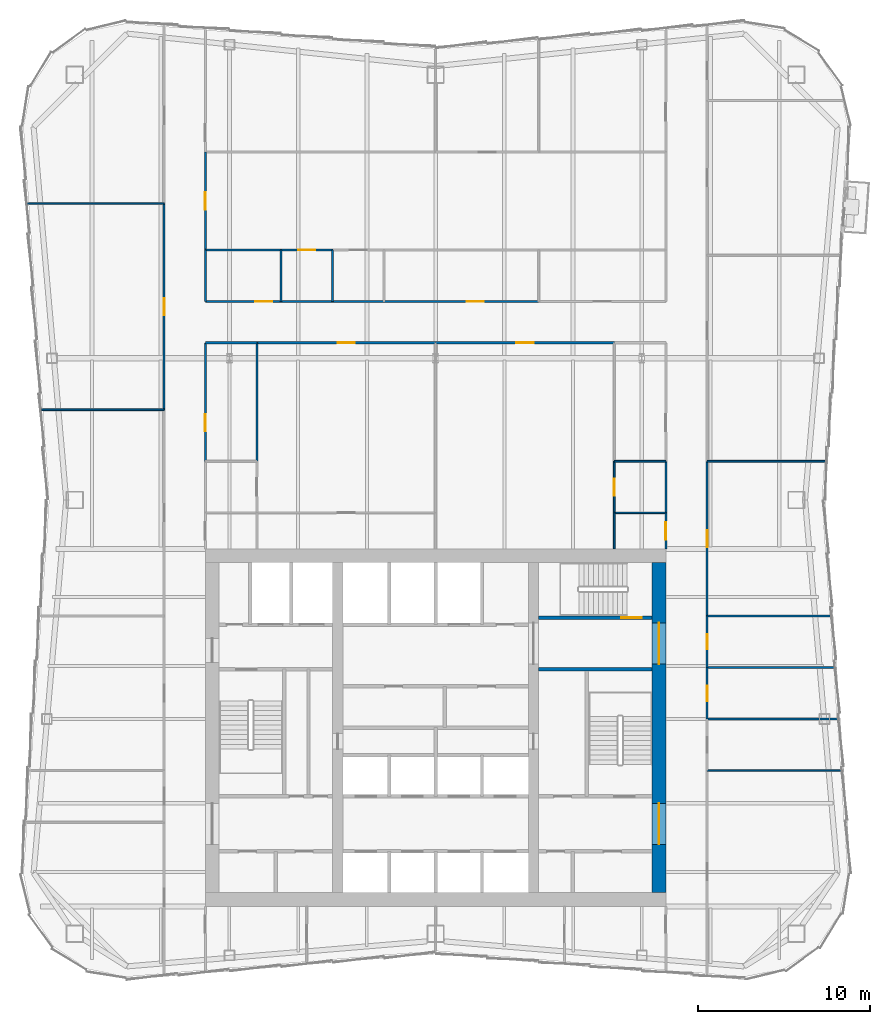
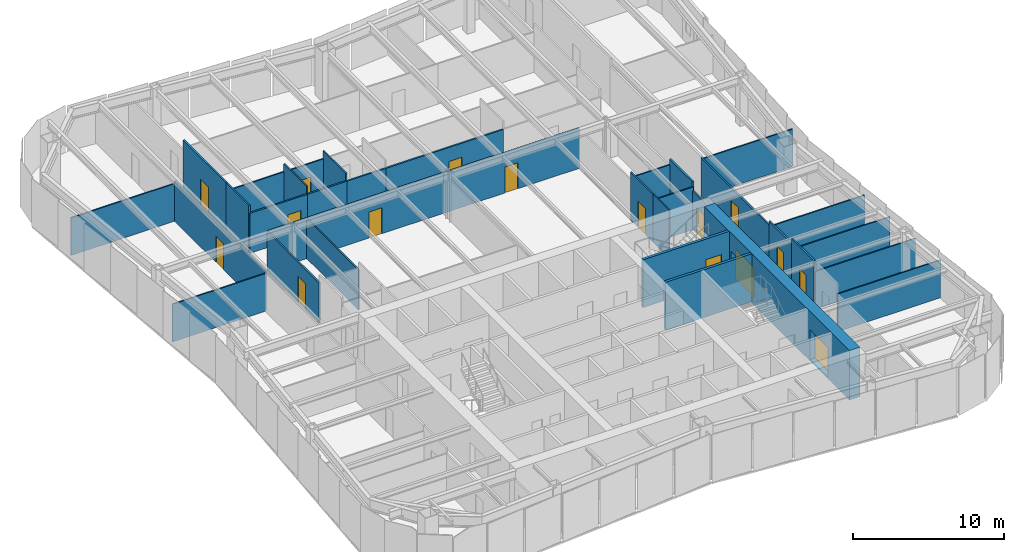
# One storey, part 8 of 12: 35 walls, 16 doors, 16 openings.
"""IFC4 building model written with IfcOpenShell, lengths in metres."""

from ifc_helpers import new_model, si_unit, direction, frame, frame_2d, origin, place, context, subcontext, project, spatial, rectangle, extrude, material, layer, layer_set, type_object, element, fill, save


model = new_model("IFC4")

# Units and contexts
model_context = context("Model", 3, precision=1e-05, world=origin(), true_north=direction((0.0, 1.0)))
body_context = subcontext(model_context, "Body", "Model", "MODEL_VIEW")
ifc_project = project(units=[si_unit("LENGTHUNIT", "METRE"), si_unit("AREAUNIT", "SQUARE_METRE"), si_unit("VOLUMEUNIT", "CUBIC_METRE"), si_unit("PLANEANGLEUNIT", "RADIAN"), si_unit("MASSUNIT", "GRAM", prefix="KILO")], contexts=[model_context])

# Site, building, storey
site_placement = place(None, origin())
site = spatial("IfcSite", under=ifc_project, at=site_placement, CompositionType="ELEMENT")
building_placement = place(site_placement, origin())
building = spatial("IfcBuilding", under=site, at=building_placement, Name="Verdant Reach Tower", CompositionType="ELEMENT")
storey_placement = place(building_placement, frame((0.0, 0.0, 242.0)))
storey = spatial("IfcBuildingStorey", under=building, at=storey_placement, Name="L55", CompositionType="ELEMENT", Elevation=242.0)

# Wall
ifc_material_1 = material(Name="Concrete C40/50", Category="concrete")
ifc_layer_1 = layer(ifc_material_1, 0.199951171875)
ifc_layer_set_1 = layer_set([ifc_layer_1], Name="CO-WALL-STAIR")
wall_type_1 = type_object("IfcWallType", Name="CO-WALL-STAIR", PredefinedType="PARTITIONING", material=ifc_layer_set_1)
wall_1_placement = place(storey_placement, frame((6.0, 31.39990234375, 0.0), z_axis=(0.0, 0.0, 1.0), x_axis=(1.0, 0.0, 0.0)))
element("IfcWall", 1, at=wall_1_placement, inside=storey, type_object=wall_type_1, Name="Stair enclosure wall, L55", PredefinedType="PARTITIONING", context=body_context, shape_type="SweptSolid", body=[
    extrude(rectangle(XDim=6.60009765625, YDim=0.199951171875, at=frame_2d((3.300048828125, 0.0))), origin(), (0.0, 0.0, 1.0), 3.8701171875),
])

# Wall, opening, door
wall_2_placement = place(storey_placement, frame((6.0, 34.39990234375, 0.0), z_axis=(0.0, 0.0, 1.0), x_axis=(1.0, 0.0, 0.0)))
wall_2 = element("IfcWall", 2, at=wall_2_placement, inside=storey, type_object=wall_type_1, Name="Stair enclosure wall, L55", PredefinedType="PARTITIONING", context=body_context, shape_type="SweptSolid", body=[
    extrude(rectangle(XDim=6.60009765625, YDim=0.199951171875, at=frame_2d((3.300048828125, 0.0))), origin(), (0.0, 0.0, 1.0), 3.8701171875),
])
opening_1_placement = place(wall_2_placement, frame((4.800048828125, 0.0, 0.0)))
opening_1 = element("IfcOpeningElement", 3, at=opening_1_placement, cuts=wall_2, Name="Opening SD", PredefinedType="OPENING", context=body_context, shape_type="SweptSolid", body=[
    extrude(rectangle(XDim=1.199951171875, YDim=2.199951171875, at=frame_2d((0.60009765625, 1.10009765625))), frame((0.0, 0.10986328125, 0.0), z_axis=(0.0, -1.0, 0.0), x_axis=(1.0, 0.0, 0.0)), (0.0, 0.0, 1.0), 0.219970703125),
])
ifc_material_2 = material(Name="Steel", Category="steel")
door_type_1 = type_object("IfcDoorType", Name="CO-DOOR-STAIR", OperationType="NOTDEFINED", PredefinedType="DOOR", material=ifc_material_2)
door_1_placement = place(opening_1_placement, origin())
door_1 = element("IfcDoor", 4, at=door_1_placement, inside=storey, type_object=door_type_1, Name="Stair door, L55", OperationType="SINGLE_SWING_RIGHT", OverallHeight=2.199951171875, OverallWidth=1.199951171875, PredefinedType="DOOR", context=body_context, shape_type="SweptSolid", body=[
    extrude(rectangle(XDim=1.199951171875, YDim=2.199951171875, at=frame_2d((0.60009765625, 1.10009765625))), frame((0.0, 0.02490234375, 0.0), z_axis=(0.0, -1.0, 0.0), x_axis=(1.0, 0.0, 0.0)), (0.0, 0.0, 1.0), 0.050048828125),
])
fill(opening_1, door_1)

# Walls
ifc_material_3 = material(Name="Gypsum board on steel studs", Category="steel")
ifc_layer_2 = layer(ifc_material_3, 0.10009765625)
ifc_layer_set_2 = layer_set([ifc_layer_2], Name="FL-W1 Partition 100")
wall_type_2 = type_object("IfcWallType", Name="FL-W1 Partition 100", PredefinedType="PARTITIONING", material=ifc_layer_set_2)
wall_3_placement = place(storey_placement, frame((-15.800048828125, 46.5, 0.0), z_axis=(0.0, 0.0, 1.0), x_axis=(-1.0, 0.0, 0.0)))
element("IfcWall", 5, at=wall_3_placement, inside=storey, type_object=wall_type_2, Name="Partition 55.41", PredefinedType="PARTITIONING", context=body_context, shape_type="SweptSolid", body=[
    extrude(rectangle(XDim=7.14208984375, YDim=0.10009765625, at=frame_2d((3.571044921875, 0.0))), origin(), (0.0, 0.0, 1.0), 3.0400390625),
])
wall_4_placement = place(storey_placement, frame((-15.800048828125, 58.5, 0.0), z_axis=(0.0, 0.0, 1.0), x_axis=(-1.0, 0.0, 0.0)))
element("IfcWall", 6, at=wall_4_placement, inside=storey, type_object=wall_type_2, Name="Partition 55.42", PredefinedType="PARTITIONING", context=body_context, shape_type="SweptSolid", body=[
    extrude(rectangle(XDim=7.9697265625, YDim=0.10009765625, at=frame_2d((3.98486328125, 0.0))), origin(), (0.0, 0.0, 1.0), 3.0400390625),
])
wall_5_placement = place(storey_placement, frame((23.666259765625, 25.5, 0.0), z_axis=(0.0, 0.0, 1.0), x_axis=(-1.0, 0.0, 0.0)))
element("IfcWall", 7, at=wall_5_placement, inside=storey, type_object=wall_type_2, Name="Partition 55.43", PredefinedType="PARTITIONING", context=body_context, shape_type="SweptSolid", body=[
    extrude(rectangle(XDim=7.8662109375, YDim=0.10009765625, at=frame_2d((3.93310546875, 0.0))), origin(), (0.0, 0.0, 1.0), 3.0400390625),
])
wall_6_placement = place(storey_placement, frame((23.459228515625, 28.5, 0.0), z_axis=(0.0, 0.0, 1.0), x_axis=(-1.0, 0.0, 0.0)))
element("IfcWall", 8, at=wall_6_placement, inside=storey, type_object=wall_type_2, Name="Partition 55.44", PredefinedType="PARTITIONING", context=body_context, shape_type="SweptSolid", body=[
    extrude(rectangle(XDim=7.6591796875, YDim=0.10009765625, at=frame_2d((3.82958984375, 0.0))), origin(), (0.0, 0.0, 1.0), 3.0400390625),
])
wall_7_placement = place(storey_placement, frame((23.25244140625, 31.5, 0.0), z_axis=(0.0, 0.0, 1.0), x_axis=(-1.0, 0.0, 0.0)))
element("IfcWall", 9, at=wall_7_placement, inside=storey, type_object=wall_type_2, Name="Partition 55.45", PredefinedType="PARTITIONING", context=body_context, shape_type="SweptSolid", body=[
    extrude(rectangle(XDim=7.452392578125, YDim=0.10009765625, at=frame_2d((3.72607421875, 0.0))), origin(), (0.0, 0.0, 1.0), 3.0400390625),
])
wall_8_placement = place(storey_placement, frame((23.04541015625, 34.5, 0.0), z_axis=(0.0, 0.0, 1.0), x_axis=(-1.0, 0.0, 0.0)))
element("IfcWall", 10, at=wall_8_placement, inside=storey, type_object=wall_type_2, Name="Partition 55.46", PredefinedType="PARTITIONING", context=body_context, shape_type="SweptSolid", body=[
    extrude(rectangle(XDim=7.245361328125, YDim=0.10009765625, at=frame_2d((3.62255859375, 0.0))), origin(), (0.0, 0.0, 1.0), 3.0400390625),
])
wall_9_placement = place(storey_placement, frame((22.735107421875, 43.5, 0.0), z_axis=(0.0, 0.0, 1.0), x_axis=(-1.0, 0.0, 0.0)))
element("IfcWall", 11, at=wall_9_placement, inside=storey, type_object=wall_type_2, Name="Partition 55.47", PredefinedType="PARTITIONING", context=body_context, shape_type="SweptSolid", body=[
    extrude(rectangle(XDim=6.93505859375, YDim=0.10009765625, at=frame_2d((3.467529296875, 0.0))), origin(), (0.0, 0.0, 1.0), 3.0400390625),
])
wall_10_placement = place(storey_placement, frame((-10.39990234375, 43.49609375, 0.0), z_axis=(0.0, 0.0, 1.0), x_axis=(0.0, 1.0, 0.0)))
element("IfcWall", 12, at=wall_10_placement, inside=storey, type_object=wall_type_2, Name="Partition 55.57", PredefinedType="PARTITIONING", context=body_context, shape_type="SweptSolid", body=[
    extrude(rectangle(XDim=6.90380859375, YDim=0.10009765625, at=frame_2d((3.451904296875, 0.0))), origin(), (0.0, 0.0, 1.0), 3.239990234375),
])
wall_11_placement = place(storey_placement, frame((13.39990234375, 40.5, 0.0), z_axis=(0.0, 0.0, 1.0), x_axis=(-1.0, 0.0, 0.0)))
element("IfcWall", 13, at=wall_11_placement, inside=storey, type_object=wall_type_2, Name="Partition 55.61", PredefinedType="PARTITIONING", context=body_context, shape_type="SweptSolid", body=[
    extrude(rectangle(XDim=3.0, YDim=0.10009765625, at=frame_2d((1.5, 0.0))), origin(), (0.0, 0.0, 1.0), 3.43994140625),
])
wall_12_placement = place(storey_placement, frame((10.39990234375, 40.50390625, 0.0), z_axis=(0.0, 0.0, 1.0), x_axis=(0.0, -1.0, 0.0)))
element("IfcWall", 14, at=wall_12_placement, inside=storey, type_object=wall_type_2, Name="Partition 55.62", PredefinedType="PARTITIONING", context=body_context, shape_type="SweptSolid", body=[
    extrude(rectangle(XDim=2.10400390625, YDim=0.10009765625, at=frame_2d((1.052001953125, 0.0))), origin(), (0.0, 0.0, 1.0), 3.8701171875),
])
wall_13_placement = place(storey_placement, frame((13.39990234375, 43.5, 0.0), z_axis=(0.0, 0.0, 1.0), x_axis=(-1.0, 0.0, 0.0)))
element("IfcWall", 15, at=wall_13_placement, inside=storey, type_object=wall_type_2, Name="Partition 55.63", PredefinedType="PARTITIONING", context=body_context, shape_type="SweptSolid", body=[
    extrude(rectangle(XDim=3.0, YDim=0.10009765625, at=frame_2d((1.5, 0.0))), origin(), (0.0, 0.0, 1.0), 3.43994140625),
])

# Wall, opening, door
wall_14_placement = place(storey_placement, frame((10.39990234375, 43.50390625, 0.0), z_axis=(0.0, 0.0, 1.0), x_axis=(0.0, -1.0, 0.0)))
wall_14 = element("IfcWall", 16, at=wall_14_placement, inside=storey, type_object=wall_type_2, Name="Partition 55.64", PredefinedType="PARTITIONING", context=body_context, shape_type="SweptSolid", body=[
    extrude(rectangle(XDim=3.0078125, YDim=0.10009765625, at=frame_2d((1.50390625, 0.0))), origin(), (0.0, 0.0, 1.0), 3.8701171875),
])
opening_2_placement = place(wall_14_placement, frame((1.00390625, 0.0, 0.0)))
opening_2 = element("IfcOpeningElement", 17, at=opening_2_placement, cuts=wall_14, Name="Opening D3", PredefinedType="OPENING", context=body_context, shape_type="SweptSolid", body=[
    extrude(rectangle(XDim=1.0, YDim=2.10009765625, at=frame_2d((0.5, 1.050048828125))), frame((0.0, 0.06005859375, 0.0), z_axis=(0.0, -1.0, 0.0), x_axis=(1.0, 0.0, 0.0)), (0.0, 0.0, 1.0), 0.1201171875),
])
ifc_material_4 = material(Name="Painted timber door leaf", Category="wood")
door_type_2 = type_object("IfcDoorType", Name="FL-D3 Door 1000x2100", OperationType="NOTDEFINED", PredefinedType="DOOR", material=ifc_material_4)
door_2_placement = place(opening_2_placement, origin())
door_2 = element("IfcDoor", 18, at=door_2_placement, inside=storey, type_object=door_type_2, Name="Door 55-033", OperationType="SINGLE_SWING_LEFT", OverallHeight=2.10009765625, OverallWidth=1.0, PredefinedType="DOOR", context=body_context, shape_type="SweptSolid", body=[
    extrude(rectangle(XDim=1.0, YDim=2.10009765625, at=frame_2d((0.5, 1.050048828125))), frame((0.0, 0.02490234375, 0.0), z_axis=(0.0, -1.0, 0.0), x_axis=(1.0, 0.0, 0.0)), (0.0, 0.0, 1.0), 0.050048828125),
])
fill(opening_2, door_2)

# Walls
wall_15_placement = place(storey_placement, frame((-9.0, 52.800048828125, 0.0), z_axis=(0.0, 0.0, 1.0), x_axis=(0.0, 1.0, 0.0)))
element("IfcWall", 19, at=wall_15_placement, inside=storey, type_object=wall_type_2, Name="Partition 55.66", PredefinedType="PARTITIONING", context=body_context, shape_type="SweptSolid", body=[
    extrude(rectangle(XDim=3.0, YDim=0.10009765625, at=frame_2d((1.5, 0.0))), origin(), (0.0, 0.0, 1.0), 3.8701171875),
])
wall_16_placement = place(storey_placement, frame((-8.99609375, 55.800048828125, 0.0), z_axis=(0.0, 0.0, 1.0), x_axis=(-1.0, 0.0, 0.0)))
element("IfcWall", 20, at=wall_16_placement, inside=storey, type_object=wall_type_2, Name="Partition 55.67", PredefinedType="PARTITIONING", context=body_context, shape_type="SweptSolid", body=[
    extrude(rectangle(XDim=4.40380859375, YDim=0.10009765625, at=frame_2d((2.201904296875, 0.0))), origin(), (0.0, 0.0, 1.0), 3.239990234375),
])
wall_17_placement = place(storey_placement, frame((-6.0, 52.800048828125, 0.0), z_axis=(0.0, 0.0, 1.0), x_axis=(0.0, 1.0, 0.0)))
element("IfcWall", 21, at=wall_17_placement, inside=storey, type_object=wall_type_2, Name="Partition 55.68", PredefinedType="PARTITIONING", context=body_context, shape_type="SweptSolid", body=[
    extrude(rectangle(XDim=3.0, YDim=0.10009765625, at=frame_2d((1.5, 0.0))), origin(), (0.0, 0.0, 1.0), 3.8701171875),
])

# Wall, opening, door
wall_18_placement = place(storey_placement, frame((-5.99609375, 55.800048828125, 0.0), z_axis=(0.0, 0.0, 1.0), x_axis=(-1.0, 0.0, 0.0)))
wall_18 = element("IfcWall", 22, at=wall_18_placement, inside=storey, type_object=wall_type_2, Name="Partition 55.69", PredefinedType="PARTITIONING", context=body_context, shape_type="SweptSolid", body=[
    extrude(rectangle(XDim=3.0078125, YDim=0.10009765625, at=frame_2d((1.50390625, 0.0))), origin(), (0.0, 0.0, 1.0), 3.239990234375),
])
opening_3_placement = place(wall_18_placement, frame((1.00390625, 0.0, 0.0)))
opening_3 = element("IfcOpeningElement", 23, at=opening_3_placement, cuts=wall_18, Name="Opening D3", PredefinedType="OPENING", context=body_context, shape_type="SweptSolid", body=[
    extrude(rectangle(XDim=1.0, YDim=2.10009765625, at=frame_2d((0.5, 1.050048828125))), frame((0.0, 0.06005859375, 0.0), z_axis=(0.0, -1.0, 0.0), x_axis=(1.0, 0.0, 0.0)), (0.0, 0.0, 1.0), 0.1201171875),
])
door_3_placement = place(opening_3_placement, origin())
door_3 = element("IfcDoor", 24, at=door_3_placement, inside=storey, type_object=door_type_2, Name="Door 55-034", OperationType="SINGLE_SWING_RIGHT", OverallHeight=2.10009765625, OverallWidth=1.0, PredefinedType="DOOR", context=body_context, shape_type="SweptSolid", body=[
    extrude(rectangle(XDim=1.0, YDim=2.10009765625, at=frame_2d((0.5, 1.050048828125))), frame((0.0, 0.02490234375, 0.0), z_axis=(0.0, -1.0, 0.0), x_axis=(1.0, 0.0, 0.0)), (0.0, 0.0, 1.0), 0.050048828125),
])
fill(opening_3, door_3)

ifc_material_5 = material(Name="Gypsum board on steel studs, fire rated", Category="steel")
ifc_layer_3 = layer(ifc_material_5, 0.125)
ifc_layer_set_3 = layer_set([ifc_layer_3], Name="FL-W2 Corridor wall 125")
wall_type_3 = type_object("IfcWallType", Name="FL-W2 Corridor wall 125", PredefinedType="PARTITIONING", material=ifc_layer_set_3)
wall_19_placement = place(storey_placement, frame((-15.800048828125, 46.5, 0.0), z_axis=(0.0, 0.0, 1.0), x_axis=(0.0, 1.0, 0.0)))
wall_19 = element("IfcWall", 25, at=wall_19_placement, inside=storey, type_object=wall_type_3, Name="Partition 55.05", PredefinedType="PARTITIONING", context=body_context, shape_type="SweptSolid", body=[
    extrude(rectangle(XDim=12.0, YDim=0.125, at=frame_2d((6.0, 0.0))), origin(), (0.0, 0.0, 1.0), 3.239990234375),
])
opening_4_placement = place(wall_19_placement, frame((5.5, 0.0, 0.0)))
opening_4 = element("IfcOpeningElement", 26, at=opening_4_placement, cuts=wall_19, Name="Opening D2", PredefinedType="OPENING", context=body_context, shape_type="SweptSolid", body=[
    extrude(rectangle(XDim=1.0, YDim=2.10009765625, at=frame_2d((0.5, 1.050048828125))), frame((0.0, 0.072509765625, 0.0), z_axis=(0.0, -1.0, 0.0), x_axis=(1.0, 0.0, 0.0)), (0.0, 0.0, 1.0), 0.14501953125),
])
ifc_material_6 = material(Name="Timber door leaf, fire rated", Category="wood")
door_type_3 = type_object("IfcDoorType", Name="FL-D2 Entrance door 1000x2100 FD30", OperationType="NOTDEFINED", PredefinedType="DOOR", material=ifc_material_6)
door_4_placement = place(opening_4_placement, origin())
door_4 = element("IfcDoor", 27, at=door_4_placement, inside=storey, type_object=door_type_3, Name="Door 55-005", OperationType="SINGLE_SWING_LEFT", OverallHeight=2.10009765625, OverallWidth=1.0, PredefinedType="DOOR", context=body_context, shape_type="SweptSolid", body=[
    extrude(rectangle(XDim=1.0, YDim=2.10009765625, at=frame_2d((0.5, 1.050048828125))), frame((0.0, 0.02490234375, 0.0), z_axis=(0.0, -1.0, 0.0), x_axis=(1.0, 0.0, 0.0)), (0.0, 0.0, 1.0), 0.050048828125),
])
fill(opening_4, door_4)

wall_20_placement = place(storey_placement, frame((15.800048828125, 31.5, 0.0), z_axis=(0.0, 0.0, 1.0), x_axis=(0.0, -1.0, 0.0)))
wall_20 = element("IfcWall", 28, at=wall_20_placement, inside=storey, type_object=wall_type_3, Name="Partition 55.09", PredefinedType="PARTITIONING", context=body_context, shape_type="SweptSolid", body=[
    extrude(rectangle(XDim=3.0, YDim=0.125, at=frame_2d((1.5, 0.0))), origin(), (0.0, 0.0, 1.0), 3.8701171875),
])
opening_5_placement = place(wall_20_placement, frame((1.050048828125, 0.0, 0.0)))
opening_5 = element("IfcOpeningElement", 29, at=opening_5_placement, cuts=wall_20, Name="Opening D1", PredefinedType="OPENING", context=body_context, shape_type="SweptSolid", body=[
    extrude(rectangle(XDim=0.89990234375, YDim=2.10009765625, at=frame_2d((0.449951171875, 1.050048828125))), frame((0.0, 0.072509765625, 0.0), z_axis=(0.0, -1.0, 0.0), x_axis=(1.0, 0.0, 0.0)), (0.0, 0.0, 1.0), 0.14501953125),
])
door_type_4 = type_object("IfcDoorType", Name="FL-D1 Door 900x2100", OperationType="NOTDEFINED", PredefinedType="DOOR", material=ifc_material_4)
door_5_placement = place(opening_5_placement, origin())
door_5 = element("IfcDoor", 30, at=door_5_placement, inside=storey, type_object=door_type_4, Name="Door 55-009", OperationType="SINGLE_SWING_LEFT", OverallHeight=2.10009765625, OverallWidth=0.89990234375, PredefinedType="DOOR", context=body_context, shape_type="SweptSolid", body=[
    extrude(rectangle(XDim=0.89990234375, YDim=2.10009765625, at=frame_2d((0.449951171875, 1.050048828125))), frame((0.0, 0.02490234375, 0.0), z_axis=(0.0, -1.0, 0.0), x_axis=(1.0, 0.0, 0.0)), (0.0, 0.0, 1.0), 0.050048828125),
])
fill(opening_5, door_5)

wall_21_placement = place(storey_placement, frame((15.800048828125, 34.5, 0.0), z_axis=(0.0, 0.0, 1.0), x_axis=(0.0, -1.0, 0.0)))
wall_21 = element("IfcWall", 31, at=wall_21_placement, inside=storey, type_object=wall_type_3, Name="Partition 55.10", PredefinedType="PARTITIONING", context=body_context, shape_type="SweptSolid", body=[
    extrude(rectangle(XDim=3.0, YDim=0.125, at=frame_2d((1.5, 0.0))), origin(), (0.0, 0.0, 1.0), 3.47998046875),
])
opening_6_placement = place(wall_21_placement, frame((1.050048828125, 0.0, 0.0)))
opening_6 = element("IfcOpeningElement", 32, at=opening_6_placement, cuts=wall_21, Name="Opening D1", PredefinedType="OPENING", context=body_context, shape_type="SweptSolid", body=[
    extrude(rectangle(XDim=0.89990234375, YDim=2.10009765625, at=frame_2d((0.449951171875, 1.050048828125))), frame((0.0, 0.072509765625, 0.0), z_axis=(0.0, -1.0, 0.0), x_axis=(1.0, 0.0, 0.0)), (0.0, 0.0, 1.0), 0.14501953125),
])
door_6_placement = place(opening_6_placement, origin())
door_6 = element("IfcDoor", 33, at=door_6_placement, inside=storey, type_object=door_type_4, Name="Door 55-010", OperationType="SINGLE_SWING_RIGHT", OverallHeight=2.10009765625, OverallWidth=0.89990234375, PredefinedType="DOOR", context=body_context, shape_type="SweptSolid", body=[
    extrude(rectangle(XDim=0.89990234375, YDim=2.10009765625, at=frame_2d((0.449951171875, 1.050048828125))), frame((0.0, 0.02490234375, 0.0), z_axis=(0.0, -1.0, 0.0), x_axis=(1.0, 0.0, 0.0)), (0.0, 0.0, 1.0), 0.050048828125),
])
fill(opening_6, door_6)

wall_22_placement = place(storey_placement, frame((15.800048828125, 43.5, 0.0), z_axis=(0.0, 0.0, 1.0), x_axis=(0.0, -1.0, 0.0)))
wall_22 = element("IfcWall", 34, at=wall_22_placement, inside=storey, type_object=wall_type_3, Name="Partition 55.11", PredefinedType="PARTITIONING", context=body_context, shape_type="SweptSolid", body=[
    extrude(rectangle(XDim=9.0, YDim=0.125, at=frame_2d((4.5, 0.0))), origin(), (0.0, 0.0, 1.0), 3.139892578125),
])
opening_7_placement = place(wall_22_placement, frame((4.0, 0.0, 0.0)))
opening_7 = element("IfcOpeningElement", 35, at=opening_7_placement, cuts=wall_22, Name="Opening D2", PredefinedType="OPENING", context=body_context, shape_type="SweptSolid", body=[
    extrude(rectangle(XDim=1.0, YDim=2.10009765625, at=frame_2d((0.5, 1.050048828125))), frame((0.0, 0.072509765625, 0.0), z_axis=(0.0, -1.0, 0.0), x_axis=(1.0, 0.0, 0.0)), (0.0, 0.0, 1.0), 0.14501953125),
])
door_7_placement = place(opening_7_placement, origin())
door_7 = element("IfcDoor", 36, at=door_7_placement, inside=storey, type_object=door_type_3, Name="Door 55-011", OperationType="SINGLE_SWING_LEFT", OverallHeight=2.10009765625, OverallWidth=1.0, PredefinedType="DOOR", context=body_context, shape_type="SweptSolid", body=[
    extrude(rectangle(XDim=1.0, YDim=2.10009765625, at=frame_2d((0.5, 1.050048828125))), frame((0.0, 0.02490234375, 0.0), z_axis=(0.0, -1.0, 0.0), x_axis=(1.0, 0.0, 0.0)), (0.0, 0.0, 1.0), 0.050048828125),
])
fill(opening_7, door_7)

wall_23_placement = place(storey_placement, frame((-13.39990234375, 50.39990234375, 0.0), z_axis=(0.0, 0.0, 1.0), x_axis=(0.0, -1.0, 0.0)))
wall_23 = element("IfcWall", 37, at=wall_23_placement, inside=storey, type_object=wall_type_3, Name="Partition 55.19", PredefinedType="PARTITIONING", context=body_context, shape_type="SweptSolid", body=[
    extrude(rectangle(XDim=6.89990234375, YDim=0.125, at=frame_2d((3.449951171875, 0.0))), origin(), (0.0, 0.0, 1.0), 3.239990234375),
])
opening_8_placement = place(wall_23_placement, frame((4.14990234375, 0.0, 0.0)))
opening_8 = element("IfcOpeningElement", 38, at=opening_8_placement, cuts=wall_23, Name="Opening D2", PredefinedType="OPENING", context=body_context, shape_type="SweptSolid", body=[
    extrude(rectangle(XDim=1.0, YDim=2.10009765625, at=frame_2d((0.5, 1.050048828125))), frame((0.0, 0.072509765625, 0.0), z_axis=(0.0, -1.0, 0.0), x_axis=(1.0, 0.0, 0.0)), (0.0, 0.0, 1.0), 0.14501953125),
])
door_8_placement = place(opening_8_placement, origin())
door_8 = element("IfcDoor", 39, at=door_8_placement, inside=storey, type_object=door_type_3, Name="Door 55-018", OperationType="SINGLE_SWING_RIGHT", OverallHeight=2.10009765625, OverallWidth=1.0, PredefinedType="DOOR", context=body_context, shape_type="SweptSolid", body=[
    extrude(rectangle(XDim=1.0, YDim=2.10009765625, at=frame_2d((0.5, 1.050048828125))), frame((0.0, 0.02490234375, 0.0), z_axis=(0.0, -1.0, 0.0), x_axis=(1.0, 0.0, 0.0)), (0.0, 0.0, 1.0), 0.050048828125),
])
fill(opening_8, door_8)

# Wall
wall_24_placement = place(storey_placement, frame((-10.39990234375, 50.39990234375, 0.0), z_axis=(0.0, 0.0, 1.0), x_axis=(-1.0, 0.0, 0.0)))
element("IfcWall", 40, at=wall_24_placement, inside=storey, type_object=wall_type_3, Name="Partition 55.20", PredefinedType="PARTITIONING", context=body_context, shape_type="SweptSolid", body=[
    extrude(rectangle(XDim=3.0, YDim=0.125, at=frame_2d((1.5, 0.0))), origin(), (0.0, 0.0, 1.0), 3.239990234375),
])

# Wall, opening, door
wall_25_placement = place(storey_placement, frame((0.0, 50.39990234375, 0.0), z_axis=(0.0, 0.0, 1.0), x_axis=(-1.0, 0.0, 0.0)))
wall_25 = element("IfcWall", 41, at=wall_25_placement, inside=storey, type_object=wall_type_3, Name="Partition 55.21", PredefinedType="PARTITIONING", context=body_context, shape_type="SweptSolid", body=[
    extrude(rectangle(XDim=10.39990234375, YDim=0.125, at=frame_2d((5.199951171875, 0.0))), origin(), (0.0, 0.0, 1.0), 3.239990234375),
])
opening_9_placement = place(wall_25_placement, frame((4.699951171875, 0.0, 0.0)))
opening_9 = element("IfcOpeningElement", 42, at=opening_9_placement, cuts=wall_25, Name="Opening D2", PredefinedType="OPENING", context=body_context, shape_type="SweptSolid", body=[
    extrude(rectangle(XDim=1.0, YDim=2.10009765625, at=frame_2d((0.5, 1.050048828125))), frame((0.0, 0.072509765625, 0.0), z_axis=(0.0, -1.0, 0.0), x_axis=(1.0, 0.0, 0.0)), (0.0, 0.0, 1.0), 0.14501953125),
])
door_9_placement = place(opening_9_placement, origin())
door_9 = element("IfcDoor", 43, at=door_9_placement, inside=storey, type_object=door_type_3, Name="Door 55-019", OperationType="SINGLE_SWING_LEFT", OverallHeight=2.10009765625, OverallWidth=1.0, PredefinedType="DOOR", context=body_context, shape_type="SweptSolid", body=[
    extrude(rectangle(XDim=1.0, YDim=2.10009765625, at=frame_2d((0.5, 1.050048828125))), frame((0.0, 0.02490234375, 0.0), z_axis=(0.0, -1.0, 0.0), x_axis=(1.0, 0.0, 0.0)), (0.0, 0.0, 1.0), 0.050048828125),
])
fill(opening_9, door_9)

wall_26_placement = place(storey_placement, frame((13.39990234375, 38.39990234375, 0.0), z_axis=(0.0, 0.0, 1.0), x_axis=(0.0, 1.0, 0.0)))
wall_26 = element("IfcWall", 44, at=wall_26_placement, inside=storey, type_object=wall_type_3, Name="Partition 55.22", PredefinedType="PARTITIONING", context=body_context, shape_type="SweptSolid", body=[
    extrude(rectangle(XDim=2.10009765625, YDim=0.125, at=frame_2d((1.050048828125, 0.0))), origin(), (0.0, 0.0, 1.0), 3.139892578125),
])
opening_10_placement = place(wall_26_placement, frame((0.550048828125, 0.0, 0.0)))
opening_10 = element("IfcOpeningElement", 45, at=opening_10_placement, cuts=wall_26, Name="Opening D2", PredefinedType="OPENING", context=body_context, shape_type="SweptSolid", body=[
    extrude(rectangle(XDim=1.0, YDim=2.10009765625, at=frame_2d((0.5, 1.050048828125))), frame((0.0, 0.072509765625, 0.0), z_axis=(0.0, -1.0, 0.0), x_axis=(1.0, 0.0, 0.0)), (0.0, 0.0, 1.0), 0.14501953125),
])
door_10_placement = place(opening_10_placement, origin())
door_10 = element("IfcDoor", 46, at=door_10_placement, inside=storey, type_object=door_type_3, Name="Door 55-020", OperationType="SINGLE_SWING_RIGHT", OverallHeight=2.10009765625, OverallWidth=1.0, PredefinedType="DOOR", context=body_context, shape_type="SweptSolid", body=[
    extrude(rectangle(XDim=1.0, YDim=2.10009765625, at=frame_2d((0.5, 1.050048828125))), frame((0.0, 0.02490234375, 0.0), z_axis=(0.0, -1.0, 0.0), x_axis=(1.0, 0.0, 0.0)), (0.0, 0.0, 1.0), 0.050048828125),
])
fill(opening_10, door_10)

# Wall
wall_27_placement = place(storey_placement, frame((13.39990234375, 40.5, 0.0), z_axis=(0.0, 0.0, 1.0), x_axis=(0.0, 1.0, 0.0)))
element("IfcWall", 47, at=wall_27_placement, inside=storey, type_object=wall_type_3, Name="Partition 55.23", PredefinedType="PARTITIONING", context=body_context, shape_type="SweptSolid", body=[
    extrude(rectangle(XDim=3.0, YDim=0.125, at=frame_2d((1.5, 0.0))), origin(), (0.0, 0.0, 1.0), 3.8701171875),
])

# Wall, opening, door
wall_28_placement = place(storey_placement, frame((10.39990234375, 50.39990234375, 0.0), z_axis=(0.0, 0.0, 1.0), x_axis=(-1.0, 0.0, 0.0)))
wall_28 = element("IfcWall", 48, at=wall_28_placement, inside=storey, type_object=wall_type_3, Name="Partition 55.26", PredefinedType="PARTITIONING", context=body_context, shape_type="SweptSolid", body=[
    extrude(rectangle(XDim=10.39990234375, YDim=0.125, at=frame_2d((5.199951171875, 0.0))), origin(), (0.0, 0.0, 1.0), 3.239990234375),
])
opening_11_placement = place(wall_28_placement, frame((4.699951171875, 0.0, 0.0)))
opening_11 = element("IfcOpeningElement", 49, at=opening_11_placement, cuts=wall_28, Name="Opening D2", PredefinedType="OPENING", context=body_context, shape_type="SweptSolid", body=[
    extrude(rectangle(XDim=1.0, YDim=2.10009765625, at=frame_2d((0.5, 1.050048828125))), frame((0.0, 0.072509765625, 0.0), z_axis=(0.0, -1.0, 0.0), x_axis=(1.0, 0.0, 0.0)), (0.0, 0.0, 1.0), 0.14501953125),
])
door_11_placement = place(opening_11_placement, origin())
door_11 = element("IfcDoor", 50, at=door_11_placement, inside=storey, type_object=door_type_3, Name="Door 55-022", OperationType="SINGLE_SWING_RIGHT", OverallHeight=2.10009765625, OverallWidth=1.0, PredefinedType="DOOR", context=body_context, shape_type="SweptSolid", body=[
    extrude(rectangle(XDim=1.0, YDim=2.10009765625, at=frame_2d((0.5, 1.050048828125))), frame((0.0, 0.02490234375, 0.0), z_axis=(0.0, -1.0, 0.0), x_axis=(1.0, 0.0, 0.0)), (0.0, 0.0, 1.0), 0.050048828125),
])
fill(opening_11, door_11)

wall_29_placement = place(storey_placement, frame((-13.39990234375, 52.800048828125, 0.0), z_axis=(0.0, 0.0, 1.0), x_axis=(1.0, 0.0, 0.0)))
wall_29 = element("IfcWall", 51, at=wall_29_placement, inside=storey, type_object=wall_type_3, Name="Partition 55.27", PredefinedType="PARTITIONING", context=body_context, shape_type="SweptSolid", body=[
    extrude(rectangle(XDim=4.39990234375, YDim=0.125, at=frame_2d((2.199951171875, 0.0))), origin(), (0.0, 0.0, 1.0), 3.239990234375),
])
opening_12_placement = place(wall_29_placement, frame((2.89990234375, 0.0, 0.0)))
opening_12 = element("IfcOpeningElement", 52, at=opening_12_placement, cuts=wall_29, Name="Opening D2", PredefinedType="OPENING", context=body_context, shape_type="SweptSolid", body=[
    extrude(rectangle(XDim=1.0, YDim=2.10009765625, at=frame_2d((0.5, 1.050048828125))), frame((0.0, 0.072509765625, 0.0), z_axis=(0.0, -1.0, 0.0), x_axis=(1.0, 0.0, 0.0)), (0.0, 0.0, 1.0), 0.14501953125),
])
door_12_placement = place(opening_12_placement, origin())
door_12 = element("IfcDoor", 53, at=door_12_placement, inside=storey, type_object=door_type_3, Name="Door 55-023", OperationType="SINGLE_SWING_RIGHT", OverallHeight=2.10009765625, OverallWidth=1.0, PredefinedType="DOOR", context=body_context, shape_type="SweptSolid", body=[
    extrude(rectangle(XDim=1.0, YDim=2.10009765625, at=frame_2d((0.5, 1.050048828125))), frame((0.0, 0.02490234375, 0.0), z_axis=(0.0, -1.0, 0.0), x_axis=(1.0, 0.0, 0.0)), (0.0, 0.0, 1.0), 0.050048828125),
])
fill(opening_12, door_12)

# Walls
wall_30_placement = place(storey_placement, frame((-13.39990234375, 52.800048828125, 0.0), z_axis=(0.0, 0.0, 1.0), x_axis=(0.0, 1.0, 0.0)))
element("IfcWall", 54, at=wall_30_placement, inside=storey, type_object=wall_type_3, Name="Partition 55.28", PredefinedType="PARTITIONING", context=body_context, shape_type="SweptSolid", body=[
    extrude(rectangle(XDim=3.0, YDim=0.125, at=frame_2d((1.5, 0.0))), origin(), (0.0, 0.0, 1.0), 3.8701171875),
])
for number, where, z_axis, x_axis, name in (
    (55, (-6.0, 52.800048828125, 0.0), (0.0, 0.0, 1.0), (-1.0, 0.0, 0.0), "Partition 55.29"),
    (56, (-3.0, 52.800048828125, 0.0), (0.0, 0.0, 1.0), (-1.0, 0.0, 0.0), "Partition 55.30"),
):
    element("IfcWall", number, at=place(storey_placement, frame(where, z_axis=z_axis, x_axis=x_axis)), inside=storey, type_object=wall_type_3, Name=name, PredefinedType="PARTITIONING", context=body_context, shape_type="SweptSolid", body=[
        extrude(rectangle(XDim=3.0, YDim=0.125, at=frame_2d((1.5, 0.0))), origin(), (0.0, 0.0, 1.0), 3.239990234375),
    ])

# Wall, opening, door
wall_31_placement = place(storey_placement, frame((-3.0, 52.800048828125, 0.0), z_axis=(0.0, 0.0, 1.0), x_axis=(1.0, 0.0, 0.0)))
wall_31 = element("IfcWall", 57, at=wall_31_placement, inside=storey, type_object=wall_type_3, Name="Partition 55.31", PredefinedType="PARTITIONING", context=body_context, shape_type="SweptSolid", body=[
    extrude(rectangle(XDim=9.0, YDim=0.125, at=frame_2d((4.5, 0.0))), origin(), (0.0, 0.0, 1.0), 3.239990234375),
])
opening_13_placement = place(wall_31_placement, frame((4.800048828125, 0.0, 0.0)))
opening_13 = element("IfcOpeningElement", 58, at=opening_13_placement, cuts=wall_31, Name="Opening D2", PredefinedType="OPENING", context=body_context, shape_type="SweptSolid", body=[
    extrude(rectangle(XDim=1.0, YDim=2.10009765625, at=frame_2d((0.5, 1.050048828125))), frame((0.0, 0.072509765625, 0.0), z_axis=(0.0, -1.0, 0.0), x_axis=(1.0, 0.0, 0.0)), (0.0, 0.0, 1.0), 0.14501953125),
])
door_13_placement = place(opening_13_placement, origin())
door_13 = element("IfcDoor", 59, at=door_13_placement, inside=storey, type_object=door_type_3, Name="Door 55-024", OperationType="SINGLE_SWING_RIGHT", OverallHeight=2.10009765625, OverallWidth=1.0, PredefinedType="DOOR", context=body_context, shape_type="SweptSolid", body=[
    extrude(rectangle(XDim=1.0, YDim=2.10009765625, at=frame_2d((0.5, 1.050048828125))), frame((0.0, 0.02490234375, 0.0), z_axis=(0.0, -1.0, 0.0), x_axis=(1.0, 0.0, 0.0)), (0.0, 0.0, 1.0), 0.050048828125),
])
fill(opening_13, door_13)

wall_32_placement = place(storey_placement, frame((-13.39990234375, 61.5, 0.0), z_axis=(0.0, 0.0, 1.0), x_axis=(0.0, -1.0, 0.0)))
wall_32 = element("IfcWall", 60, at=wall_32_placement, inside=storey, type_object=wall_type_3, Name="Partition 55.34", PredefinedType="PARTITIONING", context=body_context, shape_type="SweptSolid", body=[
    extrude(rectangle(XDim=5.699951171875, YDim=0.125, at=frame_2d((2.85009765625, 0.0))), origin(), (0.0, 0.0, 1.0), 3.8701171875),
])
opening_14_placement = place(wall_32_placement, frame((2.35009765625, 0.0, 0.0)))
opening_14 = element("IfcOpeningElement", 61, at=opening_14_placement, cuts=wall_32, Name="Opening D2", PredefinedType="OPENING", context=body_context, shape_type="SweptSolid", body=[
    extrude(rectangle(XDim=1.0, YDim=2.10009765625, at=frame_2d((0.5, 1.050048828125))), frame((0.0, 0.072509765625, 0.0), z_axis=(0.0, -1.0, 0.0), x_axis=(1.0, 0.0, 0.0)), (0.0, 0.0, 1.0), 0.14501953125),
])
door_14_placement = place(opening_14_placement, origin())
door_14 = element("IfcDoor", 62, at=door_14_placement, inside=storey, type_object=door_type_3, Name="Door 55-026", OperationType="SINGLE_SWING_RIGHT", OverallHeight=2.10009765625, OverallWidth=1.0, PredefinedType="DOOR", context=body_context, shape_type="SweptSolid", body=[
    extrude(rectangle(XDim=1.0, YDim=2.10009765625, at=frame_2d((0.5, 1.050048828125))), frame((0.0, 0.02490234375, 0.0), z_axis=(0.0, -1.0, 0.0), x_axis=(1.0, 0.0, 0.0)), (0.0, 0.0, 1.0), 0.050048828125),
])
fill(opening_14, door_14)

# Wall, openings, doors
ifc_material_7 = material(Name="Concrete C70/85", Category="concrete")
ifc_layer_4 = layer(ifc_material_7, 0.800048828125)
ifc_layer_set_4 = layer_set([ifc_layer_4], Name="ST-CORE-WALL-800")
wall_type_4 = type_object("IfcWallType", Name="ST-CORE-WALL-800", PredefinedType="SHEAR", material=ifc_layer_set_4)
wall_33_placement = place(storey_placement, frame((13.0, 18.39990234375, -0.1298828125), z_axis=(0.0, 0.0, 1.0), x_axis=(0.0, 1.0, 0.0)))
wall_33 = element("IfcWall", 63, at=wall_33_placement, inside=storey, type_object=wall_type_4, Name="Core wall E, L55", PredefinedType="SHEAR", context=body_context, shape_type="SweptSolid", body=[
    extrude(rectangle(XDim=19.2001953125, YDim=0.800048828125, at=frame_2d((9.60009765625, 0.0))), origin(), (0.0, 0.0, 1.0), 4.0),
])
opening_15_placement = place(wall_33_placement, frame((2.800048828125, 0.0, 0.1298828125)))
opening_15 = element("IfcOpeningElement", 64, at=opening_15_placement, cuts=wall_33, Name="Opening LB", PredefinedType="OPENING", context=body_context, shape_type="SweptSolid", body=[
    extrude(rectangle(XDim=2.39990234375, YDim=2.39990234375, at=frame_2d((1.199951171875, 1.199951171875))), frame((0.0, 0.409912109375, 0.0), z_axis=(0.0, -1.0, 0.0), x_axis=(1.0, 0.0, 0.0)), (0.0, 0.0, 1.0), 0.820068359375),
])
opening_16_placement = place(wall_33_placement, frame((13.300048828125, 0.0, 0.1298828125)))
opening_16 = element("IfcOpeningElement", 65, at=opening_16_placement, cuts=wall_33, Name="Opening LB", PredefinedType="OPENING", context=body_context, shape_type="SweptSolid", body=[
    extrude(rectangle(XDim=2.39990234375, YDim=2.39990234375, at=frame_2d((1.199951171875, 1.199951171875))), frame((0.0, 0.409912109375, 0.0), z_axis=(0.0, -1.0, 0.0), x_axis=(1.0, 0.0, 0.0)), (0.0, 0.0, 1.0), 0.820068359375),
])
ifc_material_8 = material(Name="Glass and steel", Category="steel")
door_type_5 = type_object("IfcDoorType", Name="CO-DOOR-LOBBY", OperationType="DOUBLE_DOOR_SINGLE_SWING", PredefinedType="DOOR", material=ifc_material_8)
door_15_placement = place(opening_15_placement, origin())
door_15 = element("IfcDoor", 66, at=door_15_placement, inside=storey, type_object=door_type_5, Name="Core entrance door, L55", OperationType="DOUBLE_DOOR_SINGLE_SWING", OverallHeight=2.39990234375, OverallWidth=2.39990234375, PredefinedType="DOOR", context=body_context, shape_type="SweptSolid", body=[
    extrude(rectangle(XDim=2.39990234375, YDim=2.39990234375, at=frame_2d((1.199951171875, 1.199951171875))), frame((0.0, 0.02490234375, 0.0), z_axis=(0.0, -1.0, 0.0), x_axis=(1.0, 0.0, 0.0)), (0.0, 0.0, 1.0), 0.050048828125),
])
fill(opening_15, door_15)
door_16_placement = place(opening_16_placement, origin())
door_16 = element("IfcDoor", 67, at=door_16_placement, inside=storey, type_object=door_type_5, Name="Core entrance door, L55", OperationType="DOUBLE_DOOR_SINGLE_SWING", OverallHeight=2.39990234375, OverallWidth=2.39990234375, PredefinedType="DOOR", context=body_context, shape_type="SweptSolid", body=[
    extrude(rectangle(XDim=2.39990234375, YDim=2.39990234375, at=frame_2d((1.199951171875, 1.199951171875))), frame((0.0, 0.02490234375, 0.0), z_axis=(0.0, -1.0, 0.0), x_axis=(1.0, 0.0, 0.0)), (0.0, 0.0, 1.0), 0.050048828125),
])
fill(opening_16, door_16)

save(model, "model.ifc")
